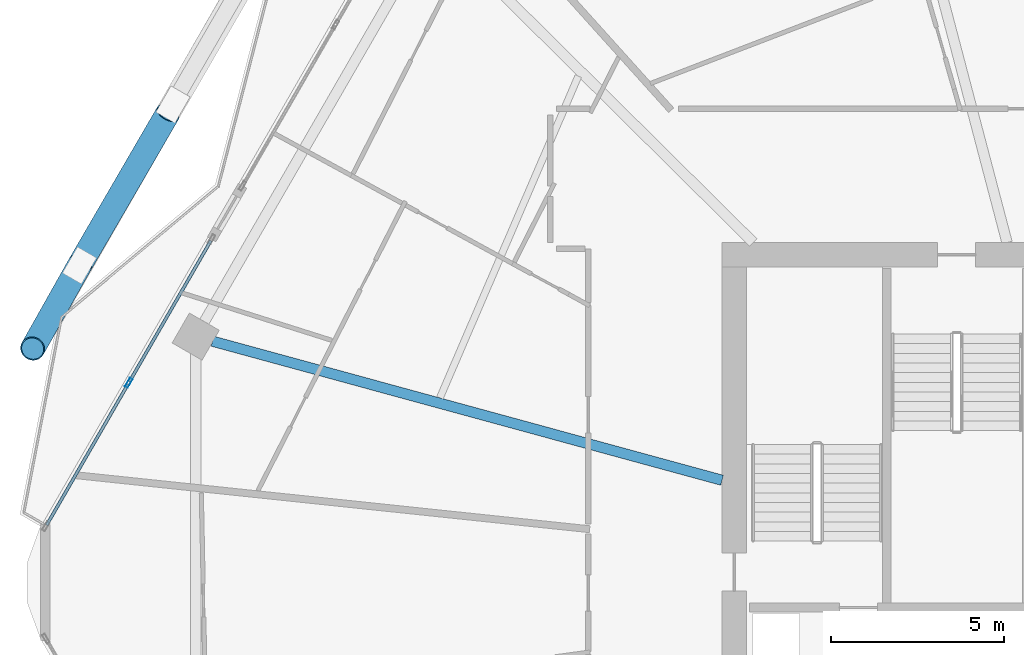
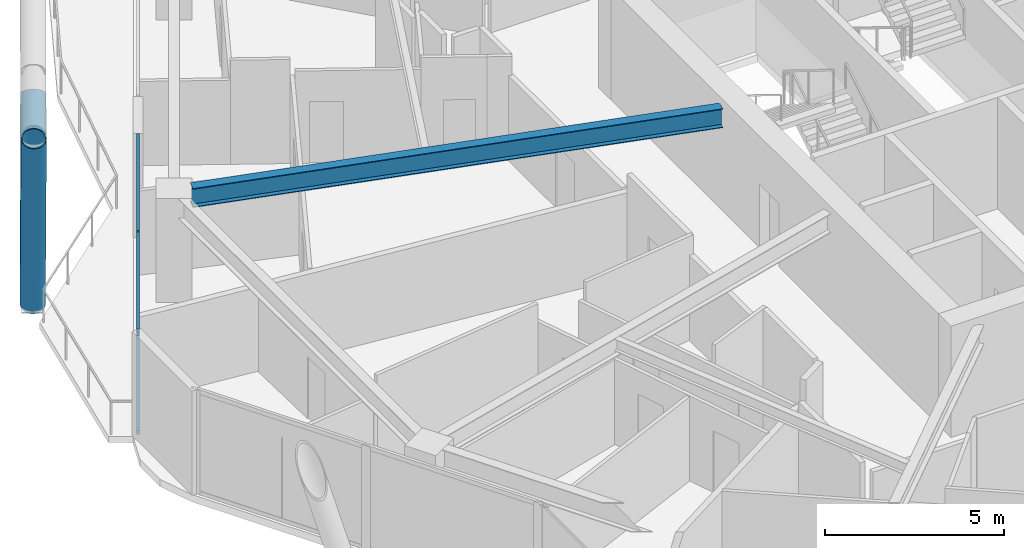
# One storey, part 10 of 28: 7 members, 1 beam, 1 element without a shape of its own.
"""IFC4 building model written with IfcOpenShell, lengths in metres."""

import ifcopenshell
import ifcopenshell.guid

model = None  # the IFC model being written
_history = None  # IfcOwnerHistory: only IFC2X3 demands one
_inside = {}  # id of a spatial element -> (the spatial element, [elements in it])
_under = {}  # id of a project, library or spatial element -> (it, [spatial elements below it])
_declared = {}  # id of a project -> (the project, [libraries it declares])
_typed = {}  # id of a type object -> (the type object, [elements of that type])
_made_of = {}  # id of a material, layer set ... -> (it, [elements and type objects made of it])


def new_model(schema):
    """Start an empty IFC model of exactly this schema.

    Asked for "IFC4X3", IfcOpenShell would pick the latest addendum, in which some entities
    have other attributes; the version numbers below select the first issue.
    IFC2X3 requires an IfcOwnerHistory on every rooted entity: one is made here for all.
    """
    global model, _history
    if schema == "IFC4X3":
        model = ifcopenshell.file(schema_version=(4, 3, 0, 0))
    else:
        model = ifcopenshell.file(schema=schema)
    _inside.clear()
    _under.clear()
    _declared.clear()
    _typed.clear()
    _made_of.clear()
    _history = None
    if model.schema == "IFC2X3":
        org = make("IfcOrganization", Name="unknown")
        user = make(
            "IfcPersonAndOrganization",
            ThePerson=make("IfcPerson", FamilyName="unknown"),
            TheOrganization=org,
        )
        app = make(
            "IfcApplication",
            ApplicationDeveloper=org,
            Version="unknown",
            ApplicationFullName="unknown",
            ApplicationIdentifier="unknown",
        )
        _history = make(
            "IfcOwnerHistory",
            OwningUser=user,
            OwningApplication=app,
            ChangeAction="ADDED",
            CreationDate=0,
        )
    return model


def make(cls, **values):
    """One entity of the class cls with the attributes given. An attribute that is None is left unset."""
    return model.create_entity(
        cls, **{name: value for name, value in values.items() if value is not None}
    )


def rooted(cls, **values):
    """An entity with a GlobalId (a new one), such as an element, a storey or a relation."""
    return make(cls, GlobalId=ifcopenshell.guid.new(), OwnerHistory=_history, **values)


def si_unit(unit_type, name, prefix=None):
    """IfcSIUnit, for example si_unit("LENGTHUNIT", "METRE", prefix="MILLI")."""
    return make("IfcSIUnit", UnitType=unit_type, Prefix=prefix, Name=name)


def assignment(units):
    """IfcUnitAssignment: the units of a project."""
    return None if units is None else make("IfcUnitAssignment", Units=units)


def point(xyz):
    """IfcCartesianPoint."""
    return None if xyz is None else make("IfcCartesianPoint", Coordinates=xyz)


def direction(xyz):
    """IfcDirection."""
    return None if xyz is None else make("IfcDirection", DirectionRatios=xyz)


def frame(location, z_axis=None, x_axis=None):
    """IfcAxis2Placement3D, a coordinate frame: its origin and axes. An axis left out is left unset."""
    return make(
        "IfcAxis2Placement3D",
        Location=point(location),
        Axis=direction(z_axis),
        RefDirection=direction(x_axis),
    )


def frame_2d(location, x_axis=None):
    """IfcAxis2Placement2D, a coordinate frame in the plane: its origin and x axis."""
    return make(
        "IfcAxis2Placement2D", Location=point(location), RefDirection=direction(x_axis)
    )


def origin():
    """The frame at (0, 0, 0) with its axes left unset."""
    return frame((0.0, 0.0, 0.0))


def origin_2d():
    """The frame at (0, 0) in the plane with its x axis left unset."""
    return frame_2d((0.0, 0.0))


def place(relative_to, where):
    """IfcLocalPlacement: puts the frame where relative to a parent placement (None: the world)."""
    return make(
        "IfcLocalPlacement", PlacementRelTo=relative_to, RelativePlacement=where
    )


def context(
    kind, dimensions, precision=None, world=None, true_north=None, identifier=None
):
    """IfcGeometricRepresentationContext, for example the 3D "Model" context."""
    return make(
        "IfcGeometricRepresentationContext",
        ContextIdentifier=identifier,
        ContextType=kind,
        CoordinateSpaceDimension=dimensions,
        Precision=precision,
        WorldCoordinateSystem=world,
        TrueNorth=true_north,
    )


def subcontext(parent, identifier, kind, view, scale=None):
    """IfcGeometricRepresentationSubContext, for example "Body" below "Model"."""
    return make(
        "IfcGeometricRepresentationSubContext",
        ContextIdentifier=identifier,
        ContextType=kind,
        ParentContext=parent,
        TargetScale=scale,
        TargetView=view,
    )


def project(units=None, contexts=None):
    """IfcProject with its units and contexts."""
    return rooted(
        "IfcProject",
        Name="project",
        RepresentationContexts=contexts,
        UnitsInContext=assignment(units),
    )


def spatial(cls, under=None, at=None, **own):
    """A site, building, storey or space (cls), placed at a placement, below another one or the project."""
    s = rooted(cls, ObjectPlacement=at, **own)
    if under is not None:
        _under.setdefault(under.id(), (under, []))[1].append(s)
    return s


def profile(cls, at=None, kind="AREA", **sizes):
    """A parametric profile (cls). Its sizes go by their IFC names, for example OverallWidth=200.0."""
    return make(cls, ProfileType=kind, Position=at, **sizes)


def hollow_rectangle(**sizes):
    """IfcRectangleHollowProfileDef."""
    return profile("IfcRectangleHollowProfileDef", **sizes)


def hollow_circle(**sizes):
    """IfcCircleHollowProfileDef."""
    return profile("IfcCircleHollowProfileDef", **sizes)


def i_section(**sizes):
    """IfcIShapeProfileDef."""
    return profile("IfcIShapeProfileDef", **sizes)


def extrude(swept, where, along, depth):
    """IfcExtrudedAreaSolid: the profile swept, set in the frame where, extruded along a direction by depth."""
    return make(
        "IfcExtrudedAreaSolid",
        SweptArea=swept,
        Position=where,
        ExtrudedDirection=direction(along),
        Depth=depth,
    )


def shape(context_of_items, identifier, shape_type, items):
    """IfcShapeRepresentation: the items that make up one representation, for example the "Body"."""
    return make(
        "IfcShapeRepresentation",
        ContextOfItems=context_of_items,
        RepresentationIdentifier=identifier,
        RepresentationType=shape_type,
        Items=items,
    )


def material(Name=None, Category=None):
    """IfcMaterial."""
    return make("IfcMaterial", Name=Name, Category=Category)


def material_profile(
    of_material, cross_section, Name=None, Category=None, Priority=None
):
    """IfcMaterialProfile: a cross section and its material."""
    return make(
        "IfcMaterialProfile",
        Name=Name,
        Material=of_material,
        Profile=cross_section,
        Priority=Priority,
        Category=Category,
    )


def profile_set(profiles, Name=None, composite=None):
    """IfcMaterialProfileSet."""
    return make(
        "IfcMaterialProfileSet",
        Name=Name,
        MaterialProfiles=profiles,
        CompositeProfile=composite,
    )


def made_of(thing, what):
    """Note that an element or type object is made of a material, layer set ...; save() writes the relation."""
    if what is not None:
        _made_of.setdefault(what.id(), (what, []))[1].append(thing)
    return thing


def type_object(cls, material=None, **own):
    """A type object (cls), such as IfcWallType, which elements share."""
    return made_of(rooted(cls, **own), material)


def element(
    cls,
    number,
    at=None,
    inside=None,
    cuts=None,
    type_object=None,
    material=None,
    context=None,
    identifier="Body",
    shape_type=None,
    held_by="IfcProductDefinitionShape",
    body=None,
    shapes=None,
    **own,
):
    """One element of the class cls, such as IfcWall. Its Tag is "e" and its number.

    at: its placement. inside: the storey or other place that contains it. cuts: it is an
    opening in that element (IfcRelVoidsElement). A single representation is given by context,
    identifier, shape_type and body (its items); several are given by shapes. held_by: the class
    of the entity that holds the representations. save() writes the other relations.
    """
    e = rooted(cls, Tag="e%d" % number, ObjectPlacement=at, **own)
    if body is not None:
        shapes = [shape(context, identifier, shape_type, body)]
    if shapes is not None:
        e.Representation = make(held_by, Representations=shapes)
    if inside is not None:
        _inside.setdefault(inside.id(), (inside, []))[1].append(e)
    if cuts is not None:
        rooted(
            "IfcRelVoidsElement", RelatingBuildingElement=cuts, RelatedOpeningElement=e
        )
    if type_object is not None:
        _typed.setdefault(type_object.id(), (type_object, []))[1].append(e)
    return made_of(e, material)


def aggregate(whole, parts):
    """IfcRelAggregates: a whole, such as a stair, and the parts it consists of."""
    return rooted("IfcRelAggregates", RelatingObject=whole, RelatedObjects=parts)


def save(model, path):
    """Write the relations noted so far, then the file.

    IfcRelAggregates (storeys below a building ...), IfcRelContainedInSpatialStructure (elements
    in a storey), IfcRelDefinesByType, IfcRelAssociatesMaterial and IfcRelDeclares: one each for
    every whole, place, type object, material and project.
    """
    for whole, parts in _under.values():
        aggregate(whole, parts)
    for where, things in _inside.values():
        rooted(
            "IfcRelContainedInSpatialStructure",
            RelatedElements=things,
            RelatingStructure=where,
        )
    for kind, things in _typed.values():
        rooted("IfcRelDefinesByType", RelatedObjects=things, RelatingType=kind)
    for what, things in _made_of.values():
        rooted("IfcRelAssociatesMaterial", RelatedObjects=things, RelatingMaterial=what)
    for by, libraries in _declared.values():
        rooted("IfcRelDeclares", RelatingContext=by, RelatedDefinitions=libraries)
    model.write(path)


model = new_model("IFC4")

# Units and contexts
model_context = context("Model", 3, precision=1e-05, world=origin(), true_north=direction((0.0, 1.0)))
body_context = subcontext(model_context, "Body", "Model", "MODEL_VIEW")
ifc_project = project(units=[si_unit("LENGTHUNIT", "METRE"), si_unit("AREAUNIT", "SQUARE_METRE"), si_unit("VOLUMEUNIT", "CUBIC_METRE"), si_unit("PLANEANGLEUNIT", "RADIAN"), si_unit("MASSUNIT", "GRAM", prefix="KILO")], contexts=[model_context])

# Site, building, storey
site_placement = place(None, origin())
site = spatial("IfcSite", under=ifc_project, at=site_placement, CompositionType="ELEMENT")
building_placement = place(site_placement, origin())
building = spatial("IfcBuilding", under=site, at=building_placement, Name="Zuhravey Tower", CompositionType="ELEMENT")
storey_placement = place(building_placement, frame((0.0, 0.0, 154.199951171875)))
storey = spatial("IfcBuildingStorey", under=building, at=storey_placement, Name="L38", CompositionType="ELEMENT", Elevation=154.199951171875)

# Curtain wall, members
ifc_material_1 = material(Name="Thermally broken anodised aluminium", Category="aluminium")
curtain_wall_type = type_object("IfcCurtainWallType", Name="Zone 1-2 Residential Curtain Wall CW3", PredefinedType="NOTDEFINED", material=ifc_material_1)
curtain_wall_placement = place(storey_placement, origin())
curtain_wall = element("IfcCurtainWall", 1, at=curtain_wall_placement, inside=storey, type_object=curtain_wall_type, Name="L38 CW3 CW-L38-F3-1", PredefinedType="NOTDEFINED")
ifc_material_2 = material(Name="Anodised aluminium", Category="aluminium")
ifc_material_profile_1 = material_profile(ifc_material_2, hollow_rectangle(XDim=0.090087890625, YDim=0.284912109375, WallThickness=0.0048828125, at=origin_2d()), Name="ALU-RHS-90x285x5")
ifc_profile_set_1 = profile_set([ifc_material_profile_1], Name="Anodised aluminium")
member_type_1 = type_object("IfcMemberType", Name="Curtain-Wall Mullion 90x180", PredefinedType="MULLION", material=ifc_profile_set_1)
member_1_placement = place(storey_placement, frame((7.9521484375, 37.7861328125, 0.0), z_axis=(0.0, 0.0, 1.0), x_axis=(-0.866026550612, 0.499998013631, 0.0)))
member_1 = element("IfcMember", 2, at=member_1_placement, type_object=member_type_1, Name="CW3 mullion 2", PredefinedType="MULLION", context=body_context, shape_type="SweptSolid", body=[
    extrude(hollow_rectangle(XDim=0.090087890625, YDim=0.284912109375, WallThickness=0.0048828125, at=origin_2d()), origin(), (0.0, 0.0, 1.0), 3.550048828125),
])
ifc_material_profile_2 = material_profile(ifc_material_2, hollow_rectangle(XDim=0.090087890625, YDim=0.14990234375, WallThickness=0.0048828125, at=origin_2d()), Name="ALU-RHS-90x150x5")
ifc_profile_set_2 = profile_set([ifc_material_profile_2], Name="Anodised aluminium")
member_type_2 = type_object("IfcMemberType", Name="Curtain-Wall Transom 90x150", PredefinedType="USERDEFINED", material=ifc_profile_set_2)
member_2_placement = place(storey_placement, frame((5.5732421875, 33.66552734375, 0.045166015625), z_axis=(0.499994490818, 0.866028584489, 0.0), x_axis=(-0.866028584489, 0.499994490818, 0.0)))
member_2 = element("IfcMember", 3, at=member_2_placement, type_object=member_type_2, Name="CW3 transom 1.1", ObjectType="TRANSOM", PredefinedType="USERDEFINED", context=body_context, shape_type="SweptSolid", body=[
    extrude(hollow_rectangle(XDim=0.090087890625, YDim=0.14990234375, WallThickness=0.0048828125, at=origin_2d()), origin(), (0.0, 0.0, 1.0), 4.712890625),
])
member_3_placement = place(storey_placement, frame((5.5732421875, 33.66552734375, 3.505126953125), z_axis=(0.499994490818, 0.866028584489, 0.0), x_axis=(-0.866028584489, 0.499994490818, 0.0)))
member_3 = element("IfcMember", 4, at=member_3_placement, type_object=member_type_2, Name="CW3 transom 1.2", ObjectType="TRANSOM", PredefinedType="USERDEFINED", context=body_context, shape_type="SweptSolid", body=[
    extrude(hollow_rectangle(XDim=0.090087890625, YDim=0.14990234375, WallThickness=0.0048828125, at=origin_2d()), origin(), (0.0, 0.0, 1.0), 4.712890625),
])
member_4_placement = place(storey_placement, frame((7.974853515625, 37.824951171875, 0.045166015625), z_axis=(0.499972060826, 0.866041533873, 0.0), x_axis=(-0.866041533873, 0.499972060826, 0.0)))
member_4 = element("IfcMember", 5, at=member_4_placement, type_object=member_type_2, Name="CW3 transom 2.1", ObjectType="TRANSOM", PredefinedType="USERDEFINED", context=body_context, shape_type="SweptSolid", body=[
    extrude(hollow_rectangle(XDim=0.090087890625, YDim=0.14990234375, WallThickness=0.0048828125, at=origin_2d()), origin(), (0.0, 0.0, 1.0), 4.713134765625),
])
member_5_placement = place(storey_placement, frame((7.974853515625, 37.824951171875, 3.505126953125), z_axis=(0.499972060826, 0.866041533873, 0.0), x_axis=(-0.866041533873, 0.499972060826, 0.0)))
member_5 = element("IfcMember", 6, at=member_5_placement, type_object=member_type_2, Name="CW3 transom 2.2", ObjectType="TRANSOM", PredefinedType="USERDEFINED", context=body_context, shape_type="SweptSolid", body=[
    extrude(hollow_rectangle(XDim=0.090087890625, YDim=0.14990234375, WallThickness=0.0048828125, at=origin_2d()), origin(), (0.0, 0.0, 1.0), 4.713134765625),
])
aggregate(curtain_wall, [member_1, member_2, member_3, member_4, member_5])

# Members
ifc_material_3 = material(Name="Steel SM460", Category="steel")
ifc_material_profile_3 = material_profile(ifc_material_3, hollow_circle(Radius=0.355712890625, WallThickness=0.031982421875, at=origin_2d()), Name="CHS-711.2x32")
ifc_profile_set_3 = profile_set([ifc_material_profile_3], Name="Steel SM460")
member_type_3 = type_object("IfcMemberType", Name="Exoskeleton Zone 2 Diagrid CHS711x32", PredefinedType="BRACE", material=ifc_profile_set_3)
member_6_placement = place(storey_placement, frame((6.5185546875, 41.182861328125, -0.44384765625), z_axis=(-0.168215708944, -0.298814198936, 0.939368697466), x_axis=(0.871410102193, -0.490555230118, 0.0)))
element("IfcMember", 7, at=member_6_placement, inside=storey, type_object=member_type_3, Name="L38 Face 3 Diagrid Brace 4", PredefinedType="BRACE", context=body_context, shape_type="SweptSolid", body=[
    extrude(hollow_circle(Radius=0.355712890625, WallThickness=0.031982421875, at=origin_2d()), origin(), (0.0, 0.0, 1.0), 8.0478515625),
])
member_7_placement = place(storey_placement, frame((6.541748046875, 41.22265625, -0.4365234375), z_axis=(0.410698331279, 0.706859122574, 0.575914109497), x_axis=(-0.864648681518, 0.502377007386, 0.0)))
element("IfcMember", 8, at=member_7_placement, inside=storey, type_object=member_type_3, Name="L38 Face 3 Split Diagrid Brace 3A", PredefinedType="BRACE", context=body_context, shape_type="SweptSolid", body=[
    extrude(hollow_circle(Radius=0.355712890625, WallThickness=0.031982421875, at=origin_2d()), origin(), (0.0, 0.0, 1.0), 6.204833984375),
])

# Beam
ifc_material_4 = material(Name="Steel SM355", Category="steel")
ifc_material_profile_4 = material_profile(ifc_material_4, i_section(OverallWidth=0.300048828125, OverallDepth=0.64990234375, WebThickness=0.012939453125, FlangeThickness=0.02197265625, at=origin_2d()), Name="H-650x300x13x22")
ifc_profile_set_4 = profile_set([ifc_material_profile_4], Name="Steel SM355")
beam_type = type_object("IfcBeamType", Name="Radial Primary Girder H650x300", PredefinedType="BEAM", material=ifc_profile_set_4)
beam_placement = place(storey_placement, frame((25.14697265625, 34.96240234375, 3.22509765625), z_axis=(-0.964701601771, 0.263345437667, 0.0), x_axis=(-0.263345437667, -0.964701601771, 0.0)))
element("IfcBeam", 9, at=beam_placement, inside=storey, type_object=beam_type, Name="L38 RG2 BM-L38-RAD-06", PredefinedType="BEAM", context=body_context, shape_type="SweptSolid", body=[
    extrude(i_section(OverallWidth=0.300048828125, OverallDepth=0.64990234375, WebThickness=0.012939453125, FlangeThickness=0.02197265625, at=origin_2d()), origin(), (0.0, 0.0, 1.0), 15.309814453125),
])

save(model, "model.ifc")
